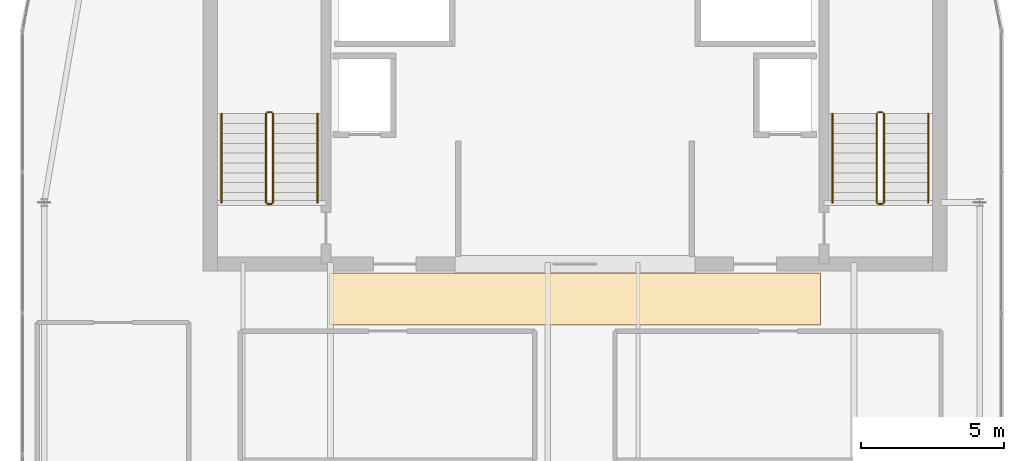
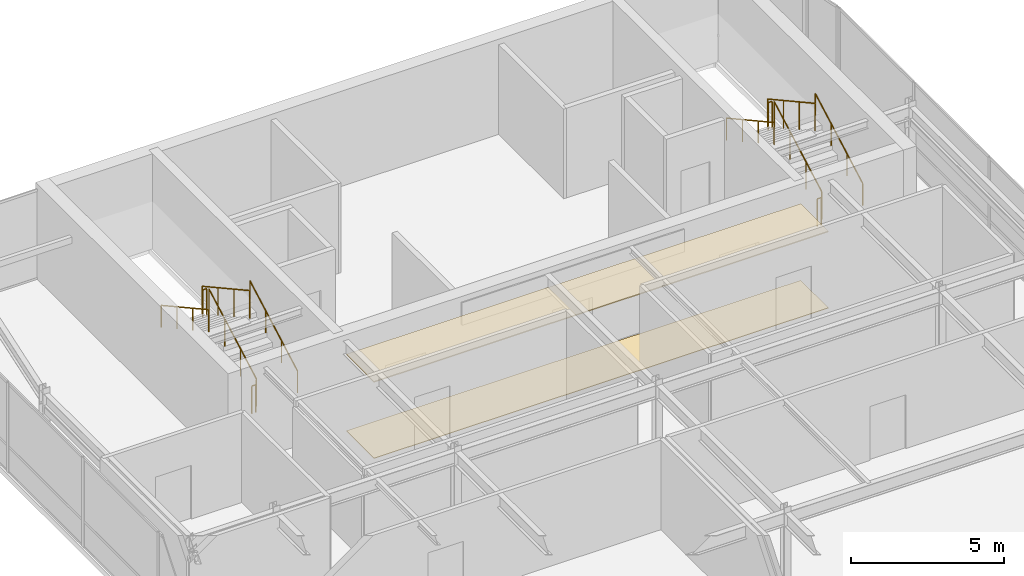
# One storey, part 36 of 36: 12 railings, 2 coverings.
"""IFC4 building model written with IfcOpenShell, lengths in metres."""

from ifc_helpers import new_model, si_unit, direction, frame, origin, origin_2d, place, context, subcontext, project, spatial, polyline, circle, outline, extrude, material, layer, layer_set, type_object, element, save


model = new_model("IFC4")

# Units and contexts
model_context = context("Model", 3, precision=1e-05, world=origin(), true_north=direction((0.0, 1.0)))
body_context = subcontext(model_context, "Body", "Model", "MODEL_VIEW")
ifc_project = project(units=[si_unit("LENGTHUNIT", "METRE"), si_unit("AREAUNIT", "SQUARE_METRE"), si_unit("VOLUMEUNIT", "CUBIC_METRE"), si_unit("PLANEANGLEUNIT", "RADIAN"), si_unit("MASSUNIT", "GRAM", prefix="KILO")], contexts=[model_context])

# Site, building, storey
site_placement = place(None, origin())
site = spatial("IfcSite", under=ifc_project, at=site_placement, CompositionType="ELEMENT")
building_placement = place(site_placement, origin())
building = spatial("IfcBuilding", under=site, at=building_placement, Name="Tolvann Quenvar Hotel", CompositionType="ELEMENT")
storey_placement = place(building_placement, frame((0.0, 0.0, 294.75)))
storey = spatial("IfcBuildingStorey", under=building, at=storey_placement, Name="L78", CompositionType="ELEMENT", Elevation=294.75)

# Coverings
ifc_material_1 = material(Name="Micro-perforated acoustic mineral-fibre and timber-batten suspended ceiling", Category="wood")
ifc_layer_1 = layer(ifc_material_1, 0.0400390625)
ifc_layer_set_1 = layer_set([ifc_layer_1], Name="Micro-perforated acoustic mineral-fibre and timber-batten suspended ceiling")
covering_type_1 = type_object("IfcCoveringType", Name="COV_CEIL_ACOUSTIC_40", PredefinedType="CEILING", material=ifc_layer_set_1)
covering_1_placement = place(storey_placement, frame((0.0, 0.0, 3.0400390625)))
element("IfcCovering", 1, at=covering_1_placement, inside=storey, type_object=covering_type_1, Name="Suspended Acoustic Ceiling (Lantern Core Stair Vestibule L78)", PredefinedType="CEILING", context=body_context, shape_type="SweptSolid", body=[
    extrude(outline(polyline([(14.419921875, 29.719970703125), (31.580078125, 29.719970703125), (31.580078125, 31.530029296875), (14.419921875, 31.530029296875), (14.419921875, 29.719970703125)])), origin(), (0.0, 0.0, 1.0), 0.0400390625),
])
ifc_material_2 = material(Name="Honed Australian bluestone, terrazzo and engineered oak flooring", Category="masonry")
ifc_layer_2 = layer(ifc_material_2, 0.02001953125)
ifc_layer_set_2 = layer_set([ifc_layer_2], Name="Honed Australian bluestone, terrazzo and engineered oak flooring")
covering_type_2 = type_object("IfcCoveringType", Name="COV_FLOOR_STONE_20", PredefinedType="FLOORING", material=ifc_layer_set_2)
covering_2_placement = place(storey_placement, origin())
element("IfcCovering", 2, at=covering_2_placement, inside=storey, type_object=covering_type_2, Name="Architectural Floor Finish (Lantern Core Stair Vestibule L78)", PredefinedType="FLOORING", context=body_context, shape_type="SweptSolid", body=[
    extrude(outline(polyline([(14.419921875, 29.719970703125), (31.580078125, 29.719970703125), (31.580078125, 31.530029296875), (14.419921875, 31.530029296875), (14.419921875, 29.719970703125)])), origin(), (0.0, 0.0, 1.0), 0.02001953125),
])

# Railings
ifc_material_3 = material(Name="Brushed 316 stainless steel balustrade and handrail", Category="steel")
railing_type_1 = type_object("IfcRailingType", Name="GUARDRAIL", PredefinedType="GUARDRAIL", material=ifc_material_3)
railing_1_placement = place(storey_placement, frame((12.449951171875, 34.0, 0.18994140625)))
element("IfcRailing", 3, at=railing_1_placement, inside=storey, type_object=railing_type_1, Name="L78 ST-C1 stair guard 1", PredefinedType="GUARDRAIL", context=body_context, shape_type="SweptSolid", body=[
    extrude(circle(Radius=0.02392578125, at=origin_2d()), frame((0.0, 0.0, 1.09619140625), z_axis=(0.0, 0.875951117098, 0.482399876093), x_axis=(-1.0, 0.0, 0.0)), (0.0, 0.0, 1.0), 3.544677734375),
    extrude(circle(Radius=0.02099609375, at=origin_2d()), origin(), (0.0, 0.0, 1.0), 1.072021484375),
    extrude(circle(Radius=0.02099609375, at=origin_2d()), frame((0.0, 1.034912109375, 0.570068359375)), (0.0, 0.0, 1.0), 1.072021484375),
    extrude(circle(Radius=0.02099609375, at=origin_2d()), frame((0.0, 2.070068359375, 1.139892578125)), (0.0, 0.0, 1.0), 1.072021484375),
    extrude(circle(Radius=0.02099609375, at=origin_2d()), frame((0.0, 3.10498046875, 1.7099609375)), (0.0, 0.0, 1.0), 1.072021484375),
])
railing_2_placement = place(storey_placement, frame((12.39990234375, 37.155029296875, 1.89990234375)))
element("IfcRailing", 4, at=railing_2_placement, inside=storey, type_object=railing_type_1, Name="L78 ST-C1 stair guard 2", PredefinedType="GUARDRAIL", context=body_context, shape_type="SweptSolid", body=[
    extrude(circle(Radius=0.02392578125, at=origin_2d()), frame((0.0, 0.0, 1.09619140625), z_axis=(-1.0, 0.0, 0.0), x_axis=(0.0, -1.0, 0.0)), (0.0, 0.0, 1.0), 0.14990234375),
    extrude(circle(Radius=0.02099609375, at=origin_2d()), origin(), (0.0, 0.0, 1.0), 1.072021484375),
    extrude(circle(Radius=0.02099609375, at=origin_2d()), frame((-0.14990234375, 0.0, 0.0)), (0.0, 0.0, 1.0), 1.072021484375),
])
railing_3_placement = place(storey_placement, frame((12.199951171875, 37.10498046875, 2.090087890625)))
element("IfcRailing", 5, at=railing_3_placement, inside=storey, type_object=railing_type_1, Name="L78 ST-C1 stair guard 3", PredefinedType="GUARDRAIL", context=body_context, shape_type="SweptSolid", body=[
    extrude(circle(Radius=0.02392578125, at=origin_2d()), frame((0.0, 0.0, 1.09619140625), z_axis=(0.0, -0.875951117098, 0.482399876093), x_axis=(1.0, 0.0, 0.0)), (0.0, 0.0, 1.0), 3.544677734375),
    extrude(circle(Radius=0.02099609375, at=origin_2d()), origin(), (0.0, 0.0, 1.0), 1.072021484375),
    extrude(circle(Radius=0.02099609375, at=origin_2d()), frame((0.0, -1.034912109375, 0.570068359375)), (0.0, 0.0, 1.0), 1.072021484375),
    extrude(circle(Radius=0.02099609375, at=origin_2d()), frame((0.0, -2.070068359375, 1.139892578125)), (0.0, 0.0, 1.0), 1.072021484375),
    extrude(circle(Radius=0.02099609375, at=origin_2d()), frame((0.0, -3.10498046875, 1.7099609375)), (0.0, 0.0, 1.0), 1.072021484375),
])
railing_4_placement = place(storey_placement, frame((12.39990234375, 33.949951171875, 0.0)))
element("IfcRailing", 6, at=railing_4_placement, inside=storey, type_object=railing_type_1, Name="L78 ST-C1 stair guard 4", PredefinedType="GUARDRAIL", context=body_context, shape_type="SweptSolid", body=[
    extrude(circle(Radius=0.02392578125, at=origin_2d()), frame((0.0, 0.0, 1.09619140625), z_axis=(-1.0, 0.0, 0.0), x_axis=(0.0, -1.0, 0.0)), (0.0, 0.0, 1.0), 0.14990234375),
    extrude(circle(Radius=0.02099609375, at=origin_2d()), origin(), (0.0, 0.0, 1.0), 1.072021484375),
    extrude(circle(Radius=0.02099609375, at=origin_2d()), frame((-0.14990234375, 0.0, 0.0)), (0.0, 0.0, 1.0), 1.072021484375),
])
railing_5_placement = place(storey_placement, frame((33.800048828125, 34.0, 0.18994140625)))
element("IfcRailing", 7, at=railing_5_placement, inside=storey, type_object=railing_type_1, Name="L78 ST-C2 stair guard 1", PredefinedType="GUARDRAIL", context=body_context, shape_type="SweptSolid", body=[
    extrude(circle(Radius=0.02392578125, at=origin_2d()), frame((0.0, 0.0, 1.09619140625), z_axis=(0.0, 0.875951117098, 0.482399876093), x_axis=(-1.0, 0.0, 0.0)), (0.0, 0.0, 1.0), 3.544677734375),
    extrude(circle(Radius=0.02099609375, at=origin_2d()), origin(), (0.0, 0.0, 1.0), 1.072021484375),
    extrude(circle(Radius=0.02099609375, at=origin_2d()), frame((0.0, 1.034912109375, 0.570068359375)), (0.0, 0.0, 1.0), 1.072021484375),
    extrude(circle(Radius=0.02099609375, at=origin_2d()), frame((0.0, 2.070068359375, 1.139892578125)), (0.0, 0.0, 1.0), 1.072021484375),
    extrude(circle(Radius=0.02099609375, at=origin_2d()), frame((0.0, 3.10498046875, 1.7099609375)), (0.0, 0.0, 1.0), 1.072021484375),
])
railing_6_placement = place(storey_placement, frame((33.75, 37.155029296875, 1.89990234375)))
element("IfcRailing", 8, at=railing_6_placement, inside=storey, type_object=railing_type_1, Name="L78 ST-C2 stair guard 2", PredefinedType="GUARDRAIL", context=body_context, shape_type="SweptSolid", body=[
    extrude(circle(Radius=0.02392578125, at=origin_2d()), frame((0.0, 0.0, 1.09619140625), z_axis=(-1.0, 0.0, 0.0), x_axis=(0.0, -1.0, 0.0)), (0.0, 0.0, 1.0), 0.14990234375),
    extrude(circle(Radius=0.02099609375, at=origin_2d()), origin(), (0.0, 0.0, 1.0), 1.072021484375),
    extrude(circle(Radius=0.02099609375, at=origin_2d()), frame((-0.14990234375, 0.0, 0.0)), (0.0, 0.0, 1.0), 1.072021484375),
])
railing_7_placement = place(storey_placement, frame((33.550048828125, 37.10498046875, 2.090087890625)))
element("IfcRailing", 9, at=railing_7_placement, inside=storey, type_object=railing_type_1, Name="L78 ST-C2 stair guard 3", PredefinedType="GUARDRAIL", context=body_context, shape_type="SweptSolid", body=[
    extrude(circle(Radius=0.02392578125, at=origin_2d()), frame((0.0, 0.0, 1.09619140625), z_axis=(0.0, -0.875951117098, 0.482399876093), x_axis=(1.0, 0.0, 0.0)), (0.0, 0.0, 1.0), 3.544677734375),
    extrude(circle(Radius=0.02099609375, at=origin_2d()), origin(), (0.0, 0.0, 1.0), 1.072021484375),
    extrude(circle(Radius=0.02099609375, at=origin_2d()), frame((0.0, -1.034912109375, 0.570068359375)), (0.0, 0.0, 1.0), 1.072021484375),
    extrude(circle(Radius=0.02099609375, at=origin_2d()), frame((0.0, -2.070068359375, 1.139892578125)), (0.0, 0.0, 1.0), 1.072021484375),
    extrude(circle(Radius=0.02099609375, at=origin_2d()), frame((0.0, -3.10498046875, 1.7099609375)), (0.0, 0.0, 1.0), 1.072021484375),
])
railing_8_placement = place(storey_placement, frame((33.75, 33.949951171875, 0.0)))
element("IfcRailing", 10, at=railing_8_placement, inside=storey, type_object=railing_type_1, Name="L78 ST-C2 stair guard 4", PredefinedType="GUARDRAIL", context=body_context, shape_type="SweptSolid", body=[
    extrude(circle(Radius=0.02392578125, at=origin_2d()), frame((0.0, 0.0, 1.09619140625), z_axis=(-1.0, 0.0, 0.0), x_axis=(0.0, -1.0, 0.0)), (0.0, 0.0, 1.0), 0.14990234375),
    extrude(circle(Radius=0.02099609375, at=origin_2d()), origin(), (0.0, 0.0, 1.0), 1.072021484375),
    extrude(circle(Radius=0.02099609375, at=origin_2d()), frame((-0.14990234375, 0.0, 0.0)), (0.0, 0.0, 1.0), 1.072021484375),
])
railing_type_2 = type_object("IfcRailingType", Name="HANDRAIL", PredefinedType="HANDRAIL", material=ifc_material_3)
railing_9_placement = place(storey_placement, frame((14.0, 34.0, 0.18994140625)))
element("IfcRailing", 11, at=railing_9_placement, inside=storey, type_object=railing_type_2, Name="L78 ST-C1 stair handrail 1", PredefinedType="HANDRAIL", context=body_context, shape_type="SweptSolid", body=[
    extrude(circle(Radius=0.02392578125, at=origin_2d()), frame((0.0, 0.0, 0.8759765625), z_axis=(0.0, 0.875951117098, 0.482399876093), x_axis=(-1.0, 0.0, 0.0)), (0.0, 0.0, 1.0), 3.544677734375),
    extrude(circle(Radius=0.02099609375, at=origin_2d()), origin(), (0.0, 0.0, 1.0), 0.851806640625),
    extrude(circle(Radius=0.02099609375, at=origin_2d()), frame((0.0, 1.034912109375, 0.570068359375)), (0.0, 0.0, 1.0), 0.851806640625),
    extrude(circle(Radius=0.02099609375, at=origin_2d()), frame((0.0, 2.070068359375, 1.139892578125)), (0.0, 0.0, 1.0), 0.851806640625),
    extrude(circle(Radius=0.02099609375, at=origin_2d()), frame((0.0, 3.10498046875, 1.7099609375)), (0.0, 0.0, 1.0), 0.851806640625),
])
railing_10_placement = place(storey_placement, frame((10.64990234375, 37.10498046875, 2.090087890625)))
element("IfcRailing", 12, at=railing_10_placement, inside=storey, type_object=railing_type_2, Name="L78 ST-C1 stair handrail 2", PredefinedType="HANDRAIL", context=body_context, shape_type="SweptSolid", body=[
    extrude(circle(Radius=0.02392578125, at=origin_2d()), frame((0.0, 0.0, 0.8759765625), z_axis=(0.0, -0.875951117098, 0.482399876093), x_axis=(1.0, 0.0, 0.0)), (0.0, 0.0, 1.0), 3.544677734375),
    extrude(circle(Radius=0.02099609375, at=origin_2d()), origin(), (0.0, 0.0, 1.0), 0.851806640625),
    extrude(circle(Radius=0.02099609375, at=origin_2d()), frame((0.0, -1.034912109375, 0.570068359375)), (0.0, 0.0, 1.0), 0.851806640625),
    extrude(circle(Radius=0.02099609375, at=origin_2d()), frame((0.0, -2.070068359375, 1.139892578125)), (0.0, 0.0, 1.0), 0.851806640625),
    extrude(circle(Radius=0.02099609375, at=origin_2d()), frame((0.0, -3.10498046875, 1.7099609375)), (0.0, 0.0, 1.0), 0.851806640625),
])
railing_11_placement = place(storey_placement, frame((35.35009765625, 34.0, 0.18994140625)))
element("IfcRailing", 13, at=railing_11_placement, inside=storey, type_object=railing_type_2, Name="L78 ST-C2 stair handrail 1", PredefinedType="HANDRAIL", context=body_context, shape_type="SweptSolid", body=[
    extrude(circle(Radius=0.02392578125, at=origin_2d()), frame((0.0, 0.0, 0.8759765625), z_axis=(0.0, 0.875951117098, 0.482399876093), x_axis=(-1.0, 0.0, 0.0)), (0.0, 0.0, 1.0), 3.544677734375),
    extrude(circle(Radius=0.02099609375, at=origin_2d()), origin(), (0.0, 0.0, 1.0), 0.851806640625),
    extrude(circle(Radius=0.02099609375, at=origin_2d()), frame((0.0, 1.034912109375, 0.570068359375)), (0.0, 0.0, 1.0), 0.851806640625),
    extrude(circle(Radius=0.02099609375, at=origin_2d()), frame((0.0, 2.070068359375, 1.139892578125)), (0.0, 0.0, 1.0), 0.851806640625),
    extrude(circle(Radius=0.02099609375, at=origin_2d()), frame((0.0, 3.10498046875, 1.7099609375)), (0.0, 0.0, 1.0), 0.851806640625),
])
railing_12_placement = place(storey_placement, frame((32.0, 37.10498046875, 2.090087890625)))
element("IfcRailing", 14, at=railing_12_placement, inside=storey, type_object=railing_type_2, Name="L78 ST-C2 stair handrail 2", PredefinedType="HANDRAIL", context=body_context, shape_type="SweptSolid", body=[
    extrude(circle(Radius=0.02392578125, at=origin_2d()), frame((0.0, 0.0, 0.8759765625), z_axis=(0.0, -0.875951117098, 0.482399876093), x_axis=(1.0, 0.0, 0.0)), (0.0, 0.0, 1.0), 3.544677734375),
    extrude(circle(Radius=0.02099609375, at=origin_2d()), origin(), (0.0, 0.0, 1.0), 0.851806640625),
    extrude(circle(Radius=0.02099609375, at=origin_2d()), frame((0.0, -1.034912109375, 0.570068359375)), (0.0, 0.0, 1.0), 0.851806640625),
    extrude(circle(Radius=0.02099609375, at=origin_2d()), frame((0.0, -2.070068359375, 1.139892578125)), (0.0, 0.0, 1.0), 0.851806640625),
    extrude(circle(Radius=0.02099609375, at=origin_2d()), frame((0.0, -3.10498046875, 1.7099609375)), (0.0, 0.0, 1.0), 0.851806640625),
])

save(model, "model.ifc")
